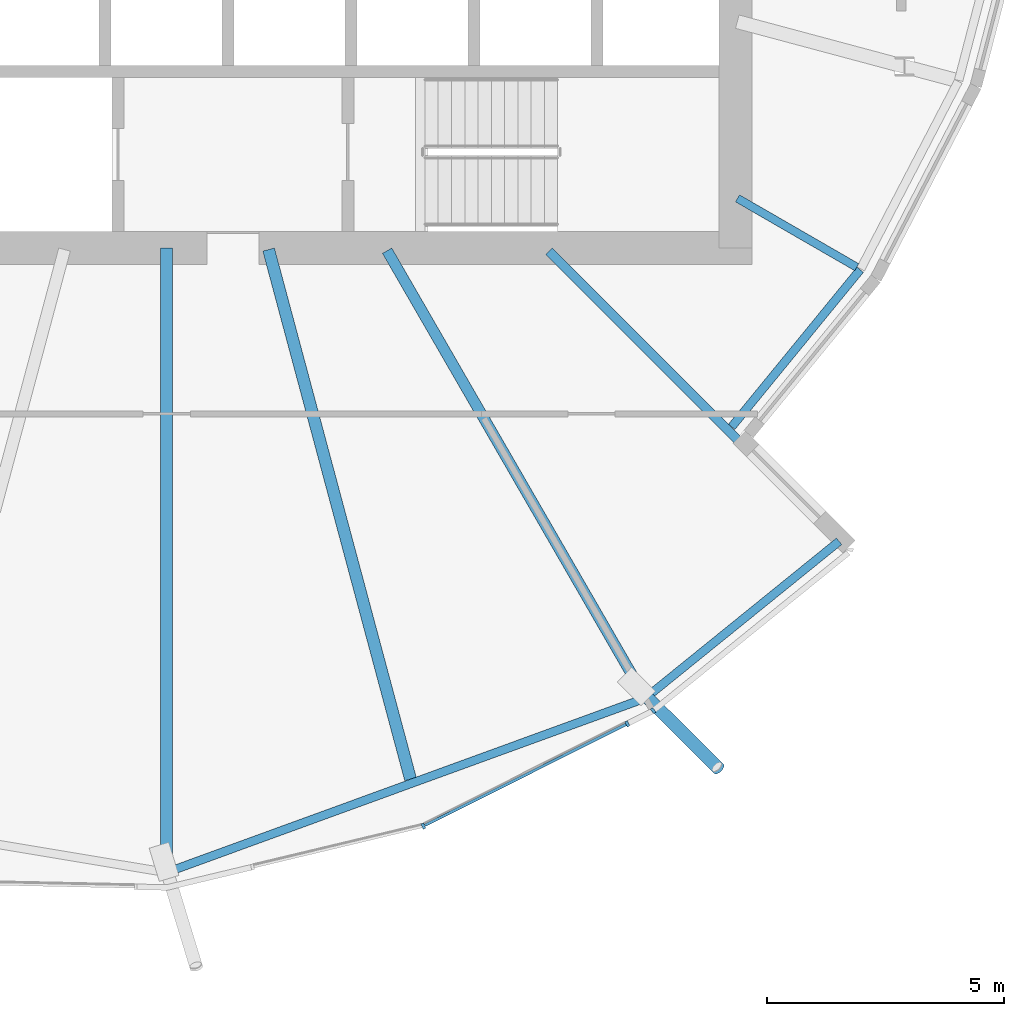
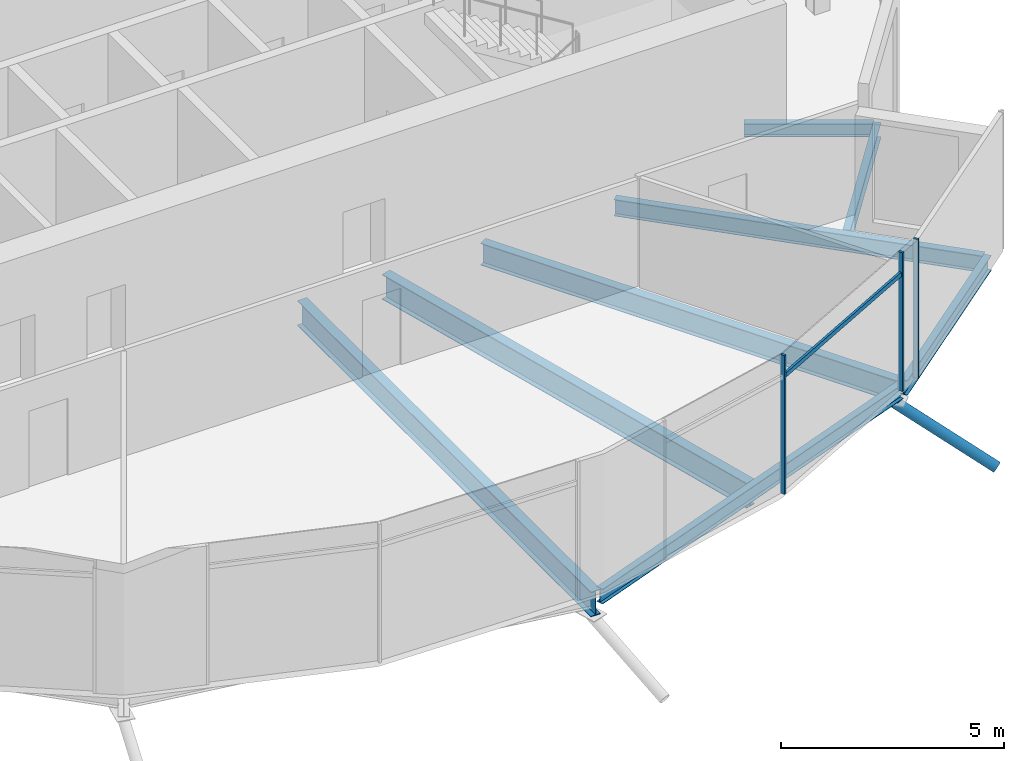
# One storey, part 14 of 40: 8 beams, 5 members, 1 element without a shape of its own.
"""IFC4 building model written with IfcOpenShell, lengths in metres."""

from ifc_helpers import new_model, si_unit, direction, frame, origin, origin_2d, place, context, subcontext, project, spatial, rectangle, hollow_circle, i_section, extrude, clip, halfspace, material, material_profile, profile_set, type_object, element, aggregate, save


model = new_model("IFC4")

# Units and contexts
model_context = context("Model", 3, precision=1e-05, world=origin(), true_north=direction((0.0, 1.0)))
body_context = subcontext(model_context, "Body", "Model", "MODEL_VIEW")
ifc_project = project(units=[si_unit("LENGTHUNIT", "METRE"), si_unit("AREAUNIT", "SQUARE_METRE"), si_unit("VOLUMEUNIT", "CUBIC_METRE"), si_unit("PLANEANGLEUNIT", "RADIAN"), si_unit("MASSUNIT", "GRAM", prefix="KILO")], contexts=[model_context])

# Site, building, storey
site_placement = place(None, origin())
site = spatial("IfcSite", under=ifc_project, at=site_placement, CompositionType="ELEMENT")
building_placement = place(site_placement, origin())
building = spatial("IfcBuilding", under=site, at=building_placement, Name="Rimbun Link Towers", CompositionType="ELEMENT")
storey_placement = place(building_placement, frame((0.0, 0.0, 150.60009765625)))
storey = spatial("IfcBuildingStorey", under=building, at=storey_placement, Name="L36", CompositionType="ELEMENT", Elevation=150.60009765625)

# Curtain wall, members
ifc_material_1 = material(Name="Aluminium 6063-T6 and low-iron glass", Category="aluminium")
curtain_wall_type = type_object("IfcCurtainWallType", Name="CW4 link block wall", PredefinedType="NOTDEFINED", material=ifc_material_1)
curtain_wall_placement = place(storey_placement, origin())
curtain_wall = element("IfcCurtainWall", 1, at=curtain_wall_placement, inside=storey, type_object=curtain_wall_type, Name="CW4 L36 T2", PredefinedType="NOTDEFINED")
ifc_material_2 = material(Name="Aluminium 6063-T6", Category="aluminium")
ifc_material_profile_1 = material_profile(ifc_material_2, rectangle(XDim=0.1201171875, YDim=0.06005859375, at=origin_2d()), Name="MULLION 60X120")
ifc_profile_set_1 = profile_set([ifc_material_profile_1], Name="Aluminium 6063-T6")
member_type_1 = type_object("IfcMemberType", Name="CW4 mullion 60X120", PredefinedType="MULLION", material=ifc_profile_set_1)
member_1_placement = place(storey_placement, frame((37.167236328125, -20.197021484375, 0.0), z_axis=(0.0, 0.0, 1.0), x_axis=(0.342963066451, -0.939348888886, 0.0)))
member_1 = element("IfcMember", 2, at=member_1_placement, type_object=member_type_1, Name="CW4 mullion", PredefinedType="MULLION", context=body_context, shape_type="SweptSolid", body=[
    extrude(rectangle(XDim=0.1201171875, YDim=0.06005859375, at=origin_2d()), origin(), (0.0, 0.0, 1.0), 3.7998046875),
])
member_2_placement = place(storey_placement, frame((41.46826171875, -18.03759765625, 0.0), z_axis=(0.0, 0.0, 1.0), x_axis=(0.448781608432, -0.893641464981, 0.0)))
member_2 = element("IfcMember", 3, at=member_2_placement, type_object=member_type_1, Name="CW4 mullion", PredefinedType="MULLION", context=body_context, shape_type="SweptSolid", body=[
    extrude(rectangle(XDim=0.1201171875, YDim=0.06005859375, at=origin_2d()), origin(), (0.0, 0.0, 1.0), 3.7998046875),
])
member_3_placement = place(storey_placement, frame((42.01513671875, -17.76123046875, 0.0), z_axis=(0.0, 0.0, 1.0), x_axis=(0.629158779809, -0.777276803841, 0.0)))
member_3 = element("IfcMember", 4, at=member_3_placement, type_object=member_type_1, Name="CW4 mullion", PredefinedType="MULLION", context=body_context, shape_type="SweptSolid", body=[
    extrude(rectangle(XDim=0.1201171875, YDim=0.06005859375, at=origin_2d()), origin(), (0.0, 0.0, 1.0), 3.7998046875),
])
ifc_material_3 = material(Name="Aluminium 6063-T6", Category="aluminium")
ifc_material_profile_2 = material_profile(ifc_material_3, rectangle(XDim=0.06005859375, YDim=0.1201171875, at=origin_2d()), Name="TRANSOM 60X120")
ifc_profile_set_2 = profile_set([ifc_material_profile_2], Name="Aluminium 6063-T6")
member_type_2 = type_object("IfcMemberType", Name="CW4 transom 60X120", PredefinedType="USERDEFINED", material=ifc_profile_set_2)
member_4_placement = place(storey_placement, frame((41.4404296875, -18.049072265625, 3.199951171875), z_axis=(-0.893633550107, -0.448797368668, 0.0), x_axis=(0.448797368668, -0.893633550107, 0.0)))
member_4 = element("IfcMember", 5, at=member_4_placement, type_object=member_type_2, Name="CW4 transom", ObjectType="TRANSOM", PredefinedType="USERDEFINED", context=body_context, shape_type="SweptSolid", body=[
    extrude(rectangle(XDim=0.06005859375, YDim=0.1201171875, at=origin_2d()), origin(), (0.0, 0.0, 1.0), 4.745849609375),
])
aggregate(curtain_wall, [member_1, member_2, member_3, member_4])

# Member
ifc_material_4 = material(Name="Steel S355J2H", Category="steel")
ifc_material_profile_3 = material_profile(ifc_material_4, hollow_circle(Radius=0.136474609375, WallThickness=0.012451171875, at=origin_2d()), Name="CHS 273x12.5")
ifc_profile_set_3 = profile_set([ifc_material_profile_3], Name="Steel S355J2H")
member_type_3 = type_object("IfcMemberType", Name="Floor edge link CHS 273x12.5", PredefinedType="BRACE", material=ifc_profile_set_3)
member_5_placement = place(storey_placement, frame((41.780517578125, -17.373291015625, -0.90087890625), z_axis=(0.615283918537, -0.61305832486, -0.495565525344), x_axis=(0.705824438663, 0.70838680238, 0.0)))
element("IfcMember", 6, at=member_5_placement, inside=storey, type_object=member_type_3, Name="Floor edge link T2 L36 17", PredefinedType="BRACE", context=body_context, shape_type="Clipping", body=[
    clip(extrude(hollow_circle(Radius=0.136474609375, WallThickness=0.012451171875, at=origin_2d()), frame((0.0, 0.0, -0.498779296875)), (0.0, 0.0, 1.0), 3.13134765625), halfspace(frame((0.0, 0.0, -0.234375), z_axis=(0.0, 0.86857055562, -0.495565525344)), False)),
])

# Beams
ifc_material_5 = material(Name="Steel S355J2", Category="steel")
ifc_material_profile_4 = material_profile(ifc_material_5, i_section(OverallWidth=0.17138671875, OverallDepth=0.35498046875, WebThickness=0.00732421875, FlangeThickness=0.011474609375, at=origin_2d()), Name="UB 356x171x51")
ifc_profile_set_4 = profile_set([ifc_material_profile_4], Name="Steel S355J2")
beam_type_1 = type_object("IfcBeamType", Name="UB 356x171x51", PredefinedType="BEAM", material=ifc_profile_set_4)
beam_1_placement = place(storey_placement, frame((43.793701171875, -6.95361328125, -0.357666015625), z_axis=(0.866062421641, -0.49993587771, 0.0), x_axis=(0.49993587771, 0.866062421641, 0.0)))
element("IfcBeam", 7, at=beam_1_placement, inside=storey, type_object=beam_type_1, Name="Radial beam T2 L36 19", PredefinedType="BEAM", context=body_context, shape_type="SweptSolid", body=[
    extrude(i_section(OverallWidth=0.17138671875, OverallDepth=0.35498046875, WebThickness=0.00732421875, FlangeThickness=0.011474609375, at=origin_2d()), origin(), (0.0, 0.0, 1.0), 2.90478515625),
])
ifc_material_6 = material(Name="Steel S355J2", Category="steel")
ifc_material_profile_5 = material_profile(ifc_material_6, i_section(OverallWidth=0.177978515625, OverallDepth=0.406494140625, WebThickness=0.0078125, FlangeThickness=0.0126953125, at=origin_2d()), Name="UB 406x178x60")
ifc_profile_set_5 = profile_set([ifc_material_profile_5], Name="Steel S355J2")
beam_type_2 = type_object("IfcBeamType", Name="UB 406x178x60", PredefinedType="BEAM", material=ifc_profile_set_5)
beam_2_placement = place(storey_placement, frame((31.877685546875, -21.127685546875, -0.38330078125), z_axis=(0.939626268784, 0.342202388963, 0.0), x_axis=(-0.342202388963, 0.939626268784, 0.0)))
element("IfcBeam", 8, at=beam_2_placement, inside=storey, type_object=beam_type_2, Name="Edge beam T2 L36 15-17", PredefinedType="BEAM", context=body_context, shape_type="SweptSolid", body=[
    extrude(i_section(OverallWidth=0.177978515625, OverallDepth=0.406494140625, WebThickness=0.0078125, FlangeThickness=0.0126953125, at=origin_2d()), origin(), (0.0, 0.0, 1.0), 10.49755859375),
])
beam_3_placement = place(storey_placement, frame((41.851806640625, -17.494873046875, -0.38330078125), z_axis=(0.777266506307, 0.6291715014, 0.0), x_axis=(-0.6291715014, 0.777266506307, 0.0)))
element("IfcBeam", 9, at=beam_3_placement, inside=storey, type_object=beam_type_2, Name="Edge beam T2 L36 17", PredefinedType="BEAM", context=body_context, shape_type="SweptSolid", body=[
    extrude(i_section(OverallWidth=0.177978515625, OverallDepth=0.406494140625, WebThickness=0.0078125, FlangeThickness=0.0126953125, at=origin_2d()), origin(), (0.0, 0.0, 1.0), 5.255615234375),
])
beam_4_placement = place(storey_placement, frame((43.6708984375, -11.772705078125, -0.38330078125), z_axis=(0.633032798908, 0.774124974088, 0.0), x_axis=(-0.774124974088, 0.633032798908, 0.0)))
element("IfcBeam", 10, at=beam_4_placement, inside=storey, type_object=beam_type_2, Name="Edge beam T2 L36 18 recess", PredefinedType="BEAM", context=body_context, shape_type="SweptSolid", body=[
    extrude(i_section(OverallWidth=0.177978515625, OverallDepth=0.406494140625, WebThickness=0.0078125, FlangeThickness=0.0126953125, at=origin_2d()), origin(), (0.0, 0.0, 1.0), 4.281005859375),
])
ifc_material_7 = material(Name="Steel S355J2", Category="steel")
ifc_material_profile_6 = material_profile(ifc_material_7, i_section(OverallWidth=0.18994140625, OverallDepth=0.453369140625, WebThickness=0.008544921875, FlangeThickness=0.0126953125, at=origin_2d()), Name="UB 457x191x67")
ifc_profile_set_6 = profile_set([ifc_material_profile_6], Name="Steel S355J2")
beam_type_3 = type_object("IfcBeamType", Name="UB 457x191x67", PredefinedType="BEAM", material=ifc_profile_set_6)
beam_5_placement = place(storey_placement, frame((39.81787109375, -8.06787109375, -0.40673828125), z_axis=(0.707106781187, -0.707106781187, 0.0), x_axis=(0.707106781187, 0.707106781187, 0.0)))
element("IfcBeam", 11, at=beam_5_placement, inside=storey, type_object=beam_type_3, Name="Radial beam T2 L36 18", PredefinedType="BEAM", context=body_context, shape_type="SweptSolid", body=[
    extrude(i_section(OverallWidth=0.18994140625, OverallDepth=0.453369140625, WebThickness=0.008544921875, FlangeThickness=0.0126953125, at=origin_2d()), origin(), (0.0, 0.0, 1.0), 8.56396484375),
])
ifc_material_8 = material(Name="Steel S355J2", Category="steel")
ifc_material_profile_7 = material_profile(ifc_material_8, i_section(OverallWidth=0.2275390625, OverallDepth=0.6025390625, WebThickness=0.010498046875, FlangeThickness=0.014892578125, at=origin_2d()), Name="UB 610x229x101")
ifc_profile_set_7 = profile_set([ifc_material_profile_7], Name="Steel S355J2")
beam_type_4 = type_object("IfcBeamType", Name="UB 610x229x101", PredefinedType="BEAM", material=ifc_profile_set_7)
beam_6_placement = place(storey_placement, frame((36.402099609375, -8.057861328125, -0.4814453125), z_axis=(0.50000732203, -0.866021176367, 0.0), x_axis=(0.866021176367, 0.50000732203, 0.0)))
element("IfcBeam", 12, at=beam_6_placement, inside=storey, type_object=beam_type_4, Name="Radial beam T2 L36 17", PredefinedType="BEAM", context=body_context, shape_type="SweptSolid", body=[
    extrude(i_section(OverallWidth=0.2275390625, OverallDepth=0.6025390625, WebThickness=0.010498046875, FlangeThickness=0.014892578125, at=origin_2d()), origin(), (0.0, 0.0, 1.0), 10.806396484375),
])
ifc_material_9 = material(Name="Steel S355J2", Category="steel")
ifc_material_profile_8 = material_profile(ifc_material_9, i_section(OverallWidth=0.253662109375, OverallDepth=0.68359375, WebThickness=0.012451171875, FlangeThickness=0.01904296875, at=origin_2d()), Name="UB 686x254x140")
ifc_profile_set_8 = profile_set([ifc_material_profile_8], Name="Steel S355J2")
beam_type_5 = type_object("IfcBeamType", Name="UB 686x254x140", PredefinedType="BEAM", material=ifc_profile_set_8)
beam_7_placement = place(storey_placement, frame((31.75, -8.0009765625, -0.52197265625), z_axis=(0.0, -1.0, 0.0), x_axis=(1.0, 0.0, 0.0)))
element("IfcBeam", 13, at=beam_7_placement, inside=storey, type_object=beam_type_5, Name="Radial beam T2 L36 15", PredefinedType="BEAM", context=body_context, shape_type="SweptSolid", body=[
    extrude(i_section(OverallWidth=0.253662109375, OverallDepth=0.68359375, WebThickness=0.012451171875, FlangeThickness=0.01904296875, at=origin_2d()), origin(), (0.0, 0.0, 1.0), 13.17333984375),
])
beam_8_placement = place(storey_placement, frame((33.902587890625, -8.03369140625, -0.52197265625), z_axis=(0.25881874375, -0.965925907036, 0.0), x_axis=(0.965925907036, 0.25881874375, 0.0)))
element("IfcBeam", 14, at=beam_8_placement, inside=storey, type_object=beam_type_5, Name="Radial beam T2 L36 16", PredefinedType="BEAM", context=body_context, shape_type="SweptSolid", body=[
    extrude(i_section(OverallWidth=0.253662109375, OverallDepth=0.68359375, WebThickness=0.012451171875, FlangeThickness=0.01904296875, at=origin_2d()), origin(), (0.0, 0.0, 1.0), 11.564697265625),
])

save(model, "model.ifc")
